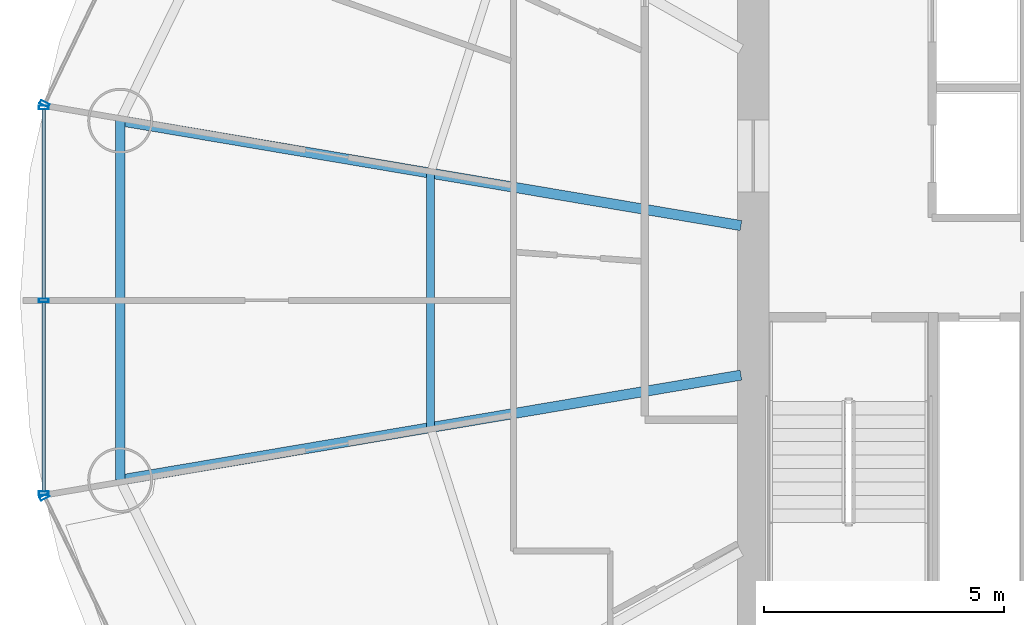
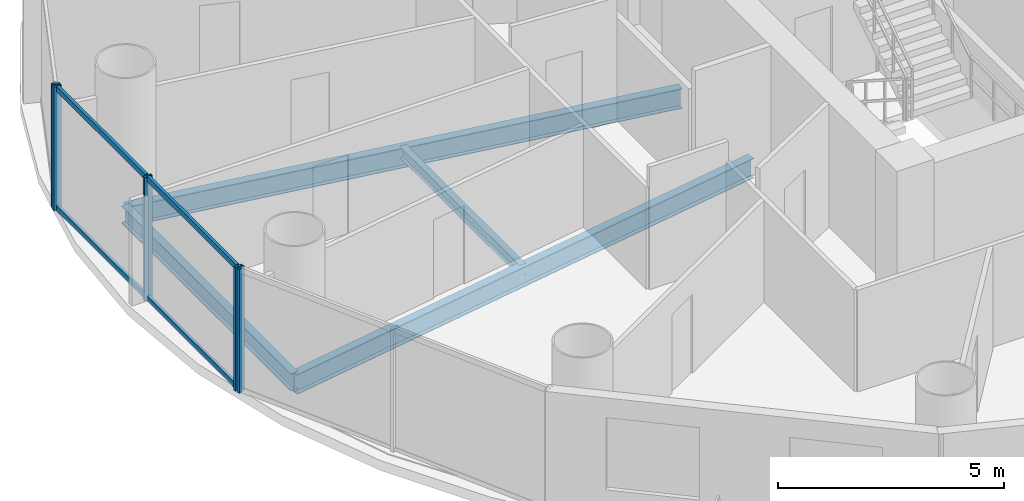
# One storey, part 6 of 26: 9 members, 4 beams, 3 elements without a shape of their own.
"""IFC4 building model written with IfcOpenShell, lengths in metres."""

from ifc_helpers import new_model, si_unit, direction, frame, origin, origin_2d, place, context, subcontext, project, spatial, hollow_rectangle, i_section, extrude, source, transform, mapped, material, material_profile, profile_set, type_object, element, aggregate, save


model = new_model("IFC4")

# Units and contexts
model_context = context("Model", 3, precision=1e-05, world=origin(), true_north=direction((-0.2419218956, 0.970295726276)))
body_context = subcontext(model_context, "Body", "Model", "MODEL_VIEW")
ifc_project = project(units=[si_unit("LENGTHUNIT", "METRE"), si_unit("AREAUNIT", "SQUARE_METRE"), si_unit("VOLUMEUNIT", "CUBIC_METRE"), si_unit("PLANEANGLEUNIT", "RADIAN"), si_unit("MASSUNIT", "GRAM", prefix="KILO")], contexts=[model_context])

# Site, building, storey
site_placement = place(None, origin())
site = spatial("IfcSite", under=ifc_project, at=site_placement, CompositionType="ELEMENT")
building_placement = place(site_placement, origin())
building = spatial("IfcBuilding", under=site, at=building_placement, Name="Cobrevalo Terracotta Tower", CompositionType="ELEMENT")
storey_placement = place(building_placement, frame((0.0, 0.0, 175.0)))
storey = spatial("IfcBuildingStorey", under=building, at=storey_placement, Name="L46", CompositionType="ELEMENT", Elevation=175.0)

# Beams
ifc_material_1 = material(Name="Steel S355", Category="steel")
ifc_material_profile_1 = material_profile(ifc_material_1, i_section(OverallWidth=0.2109375, OverallDepth=0.5390625, WebThickness=0.01171875, FlangeThickness=0.018798828125, at=origin_2d()), Name="W 530x109")
ifc_profile_set_1 = profile_set([ifc_material_profile_1], Name="Steel S355")
beam_type_1 = type_object("IfcBeamType", Name="Structural Beam W 530x109 (Steel S355)", PredefinedType="BEAM", material=ifc_profile_set_1)
for number, where, z_axis, x_axis, name in (
    (1, (15.88330078125, 30.535888671875, -0.53955078125), (0.986032794282, -0.166551279191, 0.0), (0.166551279191, 0.986032794282, 0.0), "L46 radial floor girder 08"),
    (2, (15.88330078125, 23.06396484375, -0.53955078125), (0.986029732232, 0.166569406417, 0.0), (-0.166569406417, 0.986029732232, 0.0), "L46 radial floor girder 09"),
):
    element("IfcBeam", number, at=place(storey_placement, frame(where, z_axis=z_axis, x_axis=x_axis)), inside=storey, type_object=beam_type_1, Name=name, PredefinedType="BEAM", context=body_context, shape_type="SweptSolid", body=[
        extrude(i_section(OverallWidth=0.2109375, OverallDepth=0.5390625, WebThickness=0.01171875, FlangeThickness=0.018798828125, at=origin_2d()), origin(), (0.0, 0.0, 1.0), 13.094482421875),
    ])
ifc_material_profile_2 = material_profile(ifc_material_1, i_section(OverallWidth=0.1650390625, OverallDepth=0.31005859375, WebThickness=0.005859375, FlangeThickness=0.009765625, at=origin_2d()), Name="W 310x38.7")
ifc_profile_set_2 = profile_set([ifc_material_profile_2], Name="Steel S355")
beam_type_2 = type_object("IfcBeamType", Name="Structural Joist W 310x38.7 (Steel S355)", PredefinedType="JOIST", material=ifc_profile_set_2)
beam_1_placement = place(storey_placement, frame((22.339111328125, 29.445556640625, -0.425048828125), z_axis=(0.0, -1.0, 0.0), x_axis=(1.0, 0.0, 0.0)))
element("IfcBeam", 3, at=beam_1_placement, inside=storey, type_object=beam_type_2, Name="L46 circumferential secondary floor joist 08", PredefinedType="JOIST", context=body_context, shape_type="SweptSolid", body=[
    extrude(i_section(OverallWidth=0.1650390625, OverallDepth=0.31005859375, WebThickness=0.005859375, FlangeThickness=0.009765625, at=origin_2d()), origin(), (0.0, 0.0, 1.0), 5.291015625),
])
ifc_material_profile_3 = material_profile(ifc_material_1, i_section(OverallWidth=0.194091796875, OverallDepth=0.468994140625, WebThickness=0.011474609375, FlangeThickness=0.0205078125, at=origin_2d()), Name="W 460x106")
ifc_profile_set_3 = profile_set([ifc_material_profile_3], Name="Steel S355")
beam_type_3 = type_object("IfcBeamType", Name="Structural Spandrel W 460x106 (Steel S355)", PredefinedType="SPANDREL", material=ifc_profile_set_3)
beam_2_placement = place(storey_placement, frame((15.88330078125, 30.535888671875, -0.50439453125), z_axis=(0.0, -1.0, 0.0), x_axis=(1.0, 0.0, 0.0)))
element("IfcBeam", 4, at=beam_2_placement, inside=storey, type_object=beam_type_3, Name="L46 perimeter ring spandrel 08", PredefinedType="SPANDREL", context=body_context, shape_type="SweptSolid", body=[
    extrude(i_section(OverallWidth=0.194091796875, OverallDepth=0.468994140625, WebThickness=0.011474609375, FlangeThickness=0.0205078125, at=origin_2d()), origin(), (0.0, 0.0, 1.0), 7.471923828125),
])

# Curtain wall, member
ifc_material_2 = material(Name="Anodized aluminium", Category="aluminium")
curtain_wall_type = type_object("IfcCurtainWallType", Name="Mid-tower high-wind unitised curtain wall CW-U2", PredefinedType="NOTDEFINED", material=ifc_material_2)
curtain_wall_1_placement = place(storey_placement, origin())
curtain_wall_1 = element("IfcCurtainWall", 5, at=curtain_wall_1_placement, inside=storey, type_object=curtain_wall_type, Name="L46 curtain wall CW-L46-S07", PredefinedType="NOTDEFINED")
ifc_material_profile_4 = material_profile(ifc_material_2, hollow_rectangle(XDim=0.074951171875, YDim=0.199951171875, WallThickness=0.0048828125, at=origin_2d()), Name="CWM 75x200")
ifc_profile_set_4 = profile_set([ifc_material_profile_4], Name="Anodized aluminium")
member_type_1 = type_object("IfcMemberType", Name="Lower/mid tower unitised mullion 75x200", PredefinedType="MULLION", material=ifc_profile_set_4)
shared_shape_1 = source(origin(), body_context, "Body", "SweptSolid", [
    extrude(hollow_rectangle(XDim=0.074951171875, YDim=0.199951171875, WallThickness=0.0048828125, at=origin_2d()), origin(), (0.0, 0.0, 1.0), 3.330078125),
])
member_1_placement = place(storey_placement, frame((14.311767578125, 30.887939453125, 0.0), z_axis=(0.0, 0.0, 1.0), x_axis=(-0.434209440271, -0.900811945957, 0.0)))
member_1 = element("IfcMember", 6, at=member_1_placement, type_object=member_type_1, Name="CW-L46-S07 vertical mullion 03", PredefinedType="MULLION", context=body_context, shape_type="MappedRepresentation", body=[
    mapped(shared_shape_1, transform((0.0, 0.0, 0.0), scale=1.0)),
])
aggregate(curtain_wall_1, [member_1])

# Curtain wall, members
curtain_wall_2_placement = place(storey_placement, origin())
curtain_wall_2 = element("IfcCurtainWall", 7, at=curtain_wall_2_placement, inside=storey, type_object=curtain_wall_type, Name="L46 curtain wall CW-L46-S08", PredefinedType="NOTDEFINED")
member_2_placement = place(storey_placement, frame((14.29443359375, 30.81201171875, 0.0), z_axis=(0.0, 0.0, 1.0), x_axis=(0.0, -1.0, 0.0)))
member_2 = element("IfcMember", 8, at=member_2_placement, type_object=member_type_1, Name="CW-L46-S08 vertical mullion 01", PredefinedType="MULLION", context=body_context, shape_type="MappedRepresentation", body=[
    mapped(shared_shape_1, transform((0.0, 0.0, 0.0), scale=1.0)),
])
member_3_placement = place(storey_placement, frame((14.29443359375, 26.800048828125, 0.0), z_axis=(0.0, 0.0, 1.0), x_axis=(0.0, -1.0, 0.0)))
member_3 = element("IfcMember", 9, at=member_3_placement, type_object=member_type_1, Name="CW-L46-S08 vertical mullion 02", PredefinedType="MULLION", context=body_context, shape_type="MappedRepresentation", body=[
    mapped(shared_shape_1, transform((0.0, 0.0, 0.0), scale=1.0)),
])
member_4_placement = place(storey_placement, frame((14.29443359375, 22.7880859375, 0.0), z_axis=(0.0, 0.0, 1.0), x_axis=(0.0, -1.0, 0.0)))
member_4 = element("IfcMember", 10, at=member_4_placement, type_object=member_type_1, Name="CW-L46-S08 vertical mullion 03", PredefinedType="MULLION", context=body_context, shape_type="MappedRepresentation", body=[
    mapped(shared_shape_1, transform((0.0, 0.0, 0.0), scale=1.0)),
])

# Curtain wall, member
curtain_wall_3_placement = place(storey_placement, origin())
curtain_wall_3 = element("IfcCurtainWall", 11, at=curtain_wall_3_placement, inside=storey, type_object=curtain_wall_type, Name="L46 curtain wall CW-L46-S09", PredefinedType="NOTDEFINED")
member_5_placement = place(storey_placement, frame((14.311767578125, 22.7119140625, 0.0), z_axis=(0.0, 0.0, 1.0), x_axis=(0.434209440271, -0.900811945957, 0.0)))
member_5 = element("IfcMember", 12, at=member_5_placement, type_object=member_type_1, Name="CW-L46-S09 vertical mullion 01", PredefinedType="MULLION", context=body_context, shape_type="MappedRepresentation", body=[
    mapped(shared_shape_1, transform((0.0, 0.0, 0.0), scale=1.0)),
])
aggregate(curtain_wall_3, [member_5])

# Member
ifc_material_profile_5 = material_profile(ifc_material_2, hollow_rectangle(XDim=0.074951171875, YDim=0.14990234375, WallThickness=0.00439453125, at=origin_2d()), Name="CWT 75x150")
ifc_profile_set_5 = profile_set([ifc_material_profile_5], Name="Anodized aluminium")
member_type_2 = type_object("IfcMemberType", Name="Tower unitised aluminium transom 75x150", PredefinedType="USERDEFINED", material=ifc_profile_set_5)
shared_shape_2 = source(origin(), body_context, "Body", "SweptSolid", [
    extrude(hollow_rectangle(XDim=0.074951171875, YDim=0.14990234375, WallThickness=0.00439453125, at=origin_2d()), origin(), (0.0, 0.0, 1.0), 3.931884765625),
])
member_6_placement = place(storey_placement, frame((14.29443359375, 30.77197265625, 0.050048828125), z_axis=(0.0, -1.0, 0.0), x_axis=(1.0, 0.0, 0.0)))
member_6 = element("IfcMember", 13, at=member_6_placement, type_object=member_type_2, Name="CW-L46-S08 transom B01-T1", ObjectType="TRANSOM", PredefinedType="USERDEFINED", context=body_context, shape_type="MappedRepresentation", body=[
    mapped(shared_shape_2, transform((0.0, 0.0, 0.0), scale=1.0)),
])

member_7_placement = place(storey_placement, frame((14.29443359375, 30.77197265625, 3.280029296875), z_axis=(0.0, -1.0, 0.0), x_axis=(1.0, 0.0, 0.0)))
member_7 = element("IfcMember", 14, at=member_7_placement, type_object=member_type_2, Name="CW-L46-S08 transom B01-T2", ObjectType="TRANSOM", PredefinedType="USERDEFINED", context=body_context, shape_type="MappedRepresentation", body=[
    mapped(shared_shape_2, transform((0.0, 0.0, 0.0), scale=1.0)),
])

shared_shape_3 = source(origin(), body_context, "Body", "SweptSolid", [
    extrude(hollow_rectangle(XDim=0.074951171875, YDim=0.14990234375, WallThickness=0.00439453125, at=origin_2d()), origin(), (0.0, 0.0, 1.0), 3.93212890625),
])
member_8_placement = place(storey_placement, frame((14.29443359375, 26.760009765625, 0.050048828125), z_axis=(0.0, -1.0, 0.0), x_axis=(1.0, 0.0, 0.0)))
member_8 = element("IfcMember", 15, at=member_8_placement, type_object=member_type_2, Name="CW-L46-S08 transom B02-T1", ObjectType="TRANSOM", PredefinedType="USERDEFINED", context=body_context, shape_type="MappedRepresentation", body=[
    mapped(shared_shape_3, transform((0.0, 0.0, 0.0), scale=1.0)),
])

member_9_placement = place(storey_placement, frame((14.29443359375, 26.760009765625, 3.280029296875), z_axis=(0.0, -1.0, 0.0), x_axis=(1.0, 0.0, 0.0)))
member_9 = element("IfcMember", 16, at=member_9_placement, type_object=member_type_2, Name="CW-L46-S08 transom B02-T2", ObjectType="TRANSOM", PredefinedType="USERDEFINED", context=body_context, shape_type="MappedRepresentation", body=[
    mapped(shared_shape_3, transform((0.0, 0.0, 0.0), scale=1.0)),
])

aggregate(curtain_wall_2, [member_2, member_3, member_4, member_6, member_7, member_8, member_9])

save(model, "model.ifc")
